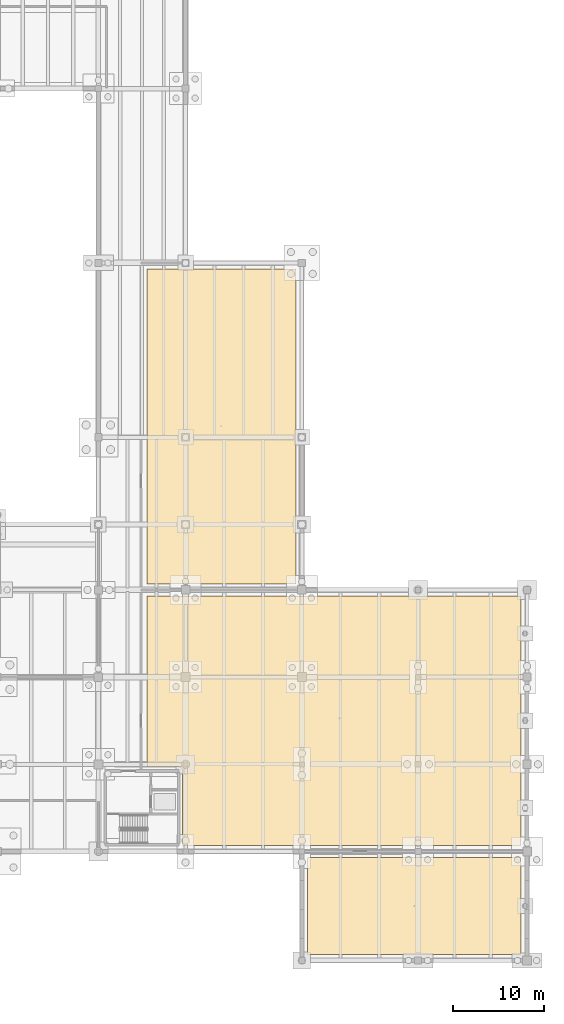
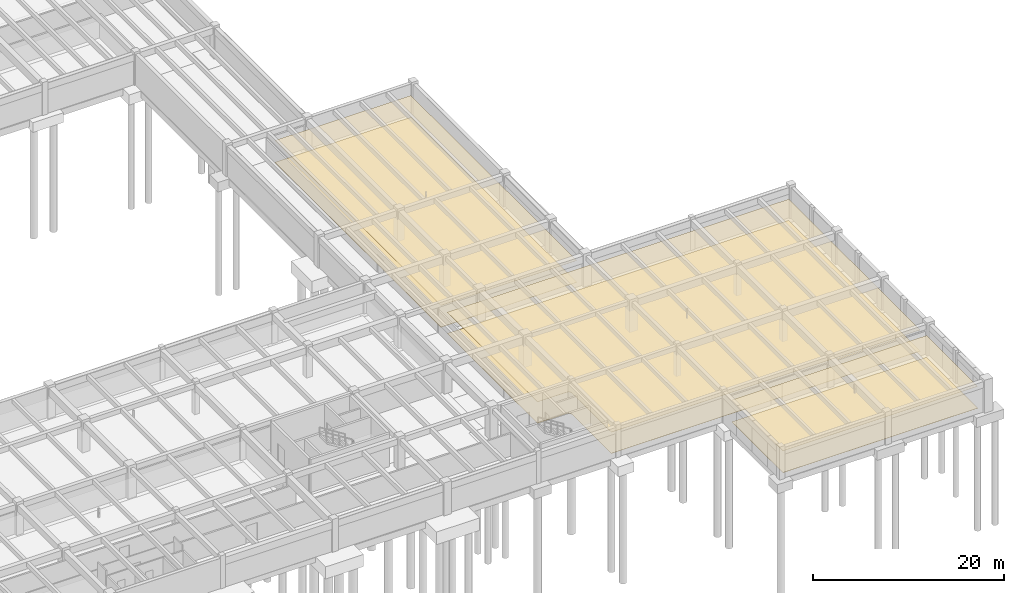
# One storey, part 40 of 41: 6 coverings.
"""IFC4 building model written with IfcOpenShell, lengths in metres."""

from ifc_helpers import new_model, si_unit, direction, frame, origin, place, context, subcontext, project, spatial, polyline, outline, extrude, material, layer, layer_set, type_object, element, save


model = new_model("IFC4")

# Units and contexts
model_context = context("Model", 3, precision=1e-05, world=origin(), true_north=direction((0.0, 1.0)))
body_context = subcontext(model_context, "Body", "Model", "MODEL_VIEW")
ifc_project = project(units=[si_unit("LENGTHUNIT", "METRE"), si_unit("AREAUNIT", "SQUARE_METRE"), si_unit("VOLUMEUNIT", "CUBIC_METRE"), si_unit("PLANEANGLEUNIT", "RADIAN"), si_unit("MASSUNIT", "GRAM", prefix="KILO")], contexts=[model_context])

# Site, building, storey
site_placement = place(None, origin())
site = spatial("IfcSite", under=ifc_project, at=site_placement, CompositionType="ELEMENT")
building_placement = place(site_placement, origin())
building = spatial("IfcBuilding", under=site, at=building_placement, Name="Fikremerkos Civic Library", CompositionType="ELEMENT")
storey_placement = place(building_placement, frame((0.0, 0.0, -8.39990234375)))
storey = spatial("IfcBuildingStorey", under=building, at=storey_placement, Name="B02", CompositionType="ELEMENT", Elevation=-8.39990234375)

# Coverings
ifc_material_1 = material(Name="Perforated acoustic cedar timber", Category="wood")
ifc_layer_1 = layer(ifc_material_1, 0.02490234375, Name="Perforated acoustic cedar timber")
ifc_layer_set_1 = layer_set([ifc_layer_1], Name="Perforated acoustic cedar timber")
covering_type_1 = type_object("IfcCoveringType", Name="Acoustic perforated timber ceiling CLG-01", PredefinedType="CEILING", material=ifc_layer_set_1)
covering_1_placement = place(storey_placement, frame((0.0, 0.0, 2.7099609375)))
element("IfcCovering", 1, at=covering_1_placement, inside=storey, type_object=covering_type_1, Name="Acoustic ceiling Chiller and Mechanical Plant Room", PredefinedType="CEILING", context=body_context, shape_type="SweptSolid", body=[
    extrude(outline(polyline([(130.14990234375, 40.14990234375), (171.35009765625, 40.14990234375), (171.35009765625, 12.64990234375), (134.068115234375, 12.64990234375), (134.07470703125, 12.68310546875), (134.07568359375, 12.69091796875), (134.0791015625, 12.72509765625), (134.07958984375, 12.73291015625), (134.080078125, 12.75), (134.080078125, 20.85009765625), (134.07958984375, 20.8671875), (134.0791015625, 20.875), (134.07568359375, 20.9091796875), (134.07470703125, 20.9169921875), (134.068115234375, 20.95068359375), (134.066162109375, 20.958251953125), (134.05615234375, 20.9912109375), (134.053466796875, 20.99853515625), (134.040283203125, 21.0302734375), (134.036865234375, 21.037353515625), (134.020751953125, 21.067626953125), (134.0166015625, 21.074462890625), (133.99755859375, 21.102783203125), (133.992919921875, 21.109130859375), (133.97119140625, 21.1357421875), (133.9658203125, 21.1416015625), (133.941650390625, 21.166015625), (133.935791015625, 21.171142578125), (133.9091796875, 21.193115234375), (133.90283203125, 21.197509765625), (133.87451171875, 21.216796875), (133.86767578125, 21.220703125), (133.83740234375, 21.23681640625), (133.830322265625, 21.240234375), (133.798583984375, 21.25341796875), (133.791015625, 21.256103515625), (133.75830078125, 21.26611328125), (133.750732421875, 21.26806640625), (133.717041015625, 21.274658203125), (133.709228515625, 21.27587890625), (133.675048828125, 21.279296875), (133.667236328125, 21.279541015625), (133.64990234375, 21.280029296875), (130.14990234375, 21.280029296875), (130.14990234375, 40.14990234375)])), origin(), (0.0, 0.0, 1.0), 0.02490234375),
])
covering_2_placement = place(storey_placement, frame((0.0, 0.0, 2.77978515625)))
element("IfcCovering", 2, at=covering_2_placement, inside=storey, type_object=covering_type_1, Name="Acoustic ceiling Standby Power and Transformer Plant Room", PredefinedType="CEILING", context=body_context, shape_type="SweptSolid", body=[
    extrude(outline(polyline([(147.85009765625, 0.64990234375), (147.85009765625, 11.35009765625), (171.35009765625, 11.35009765625), (171.35009765625, 0.64990234375), (147.85009765625, 0.64990234375)])), origin(), (0.0, 0.0, 1.0), 0.025146484375),
])
covering_3_placement = place(storey_placement, frame((0.0, 0.0, 2.77978515625)))
element("IfcCovering", 3, at=covering_3_placement, inside=storey, type_object=covering_type_1, Name="Acoustic ceiling Electrical Switchgear Room", PredefinedType="CEILING", context=body_context, shape_type="SweptSolid", body=[
    extrude(outline(polyline([(130.14990234375, 41.449951171875), (130.14990234375, 76.14990234375), (146.550048828125, 76.14990234375), (146.550048828125, 41.449951171875), (130.14990234375, 41.449951171875)])), origin(), (0.0, 0.0, 1.0), 0.025146484375),
])
ifc_material_2 = material(Name="Polished basalt terrazzo", Category="masonry")
ifc_layer_2 = layer(ifc_material_2, 0.030029296875, Name="Polished basalt terrazzo")
ifc_layer_set_2 = layer_set([ifc_layer_2], Name="Polished basalt terrazzo")
covering_type_2 = type_object("IfcCoveringType", Name="Polished basalt terrazzo flooring FLR-01", PredefinedType="FLOORING", material=ifc_layer_set_2)
covering_4_placement = place(storey_placement, origin())
element("IfcCovering", 4, at=covering_4_placement, inside=storey, type_object=covering_type_2, Name="Terrazzo floor finish Chiller and Mechanical Plant Room", PredefinedType="FLOORING", context=body_context, shape_type="SweptSolid", body=[
    extrude(outline(polyline([(130.14990234375, 40.14990234375), (171.35009765625, 40.14990234375), (171.35009765625, 12.64990234375), (134.068115234375, 12.64990234375), (134.07470703125, 12.68310546875), (134.07568359375, 12.69091796875), (134.0791015625, 12.72509765625), (134.07958984375, 12.73291015625), (134.080078125, 12.75), (134.080078125, 20.85009765625), (134.07958984375, 20.8671875), (134.0791015625, 20.875), (134.07568359375, 20.9091796875), (134.07470703125, 20.9169921875), (134.068115234375, 20.95068359375), (134.066162109375, 20.958251953125), (134.05615234375, 20.9912109375), (134.053466796875, 20.99853515625), (134.040283203125, 21.0302734375), (134.036865234375, 21.037353515625), (134.020751953125, 21.067626953125), (134.0166015625, 21.074462890625), (133.99755859375, 21.102783203125), (133.992919921875, 21.109130859375), (133.97119140625, 21.1357421875), (133.9658203125, 21.1416015625), (133.941650390625, 21.166015625), (133.935791015625, 21.171142578125), (133.9091796875, 21.193115234375), (133.90283203125, 21.197509765625), (133.87451171875, 21.216796875), (133.86767578125, 21.220703125), (133.83740234375, 21.23681640625), (133.830322265625, 21.240234375), (133.798583984375, 21.25341796875), (133.791015625, 21.256103515625), (133.75830078125, 21.26611328125), (133.750732421875, 21.26806640625), (133.717041015625, 21.274658203125), (133.709228515625, 21.27587890625), (133.675048828125, 21.279296875), (133.667236328125, 21.279541015625), (133.64990234375, 21.280029296875), (130.14990234375, 21.280029296875), (130.14990234375, 40.14990234375)])), origin(), (0.0, 0.0, 1.0), 0.02978515625),
])
covering_5_placement = place(storey_placement, origin())
element("IfcCovering", 5, at=covering_5_placement, inside=storey, type_object=covering_type_2, Name="Terrazzo floor finish Standby Power and Transformer Plant Room", PredefinedType="FLOORING", context=body_context, shape_type="SweptSolid", body=[
    extrude(outline(polyline([(147.85009765625, 0.64990234375), (147.85009765625, 11.35009765625), (171.35009765625, 11.35009765625), (171.35009765625, 0.64990234375), (147.85009765625, 0.64990234375)])), origin(), (0.0, 0.0, 1.0), 0.02978515625),
])
covering_6_placement = place(storey_placement, origin())
element("IfcCovering", 6, at=covering_6_placement, inside=storey, type_object=covering_type_2, Name="Terrazzo floor finish Electrical Switchgear Room", PredefinedType="FLOORING", context=body_context, shape_type="SweptSolid", body=[
    extrude(outline(polyline([(130.14990234375, 41.449951171875), (130.14990234375, 76.14990234375), (146.550048828125, 76.14990234375), (146.550048828125, 41.449951171875), (130.14990234375, 41.449951171875)])), origin(), (0.0, 0.0, 1.0), 0.02978515625),
])

save(model, "model.ifc")
